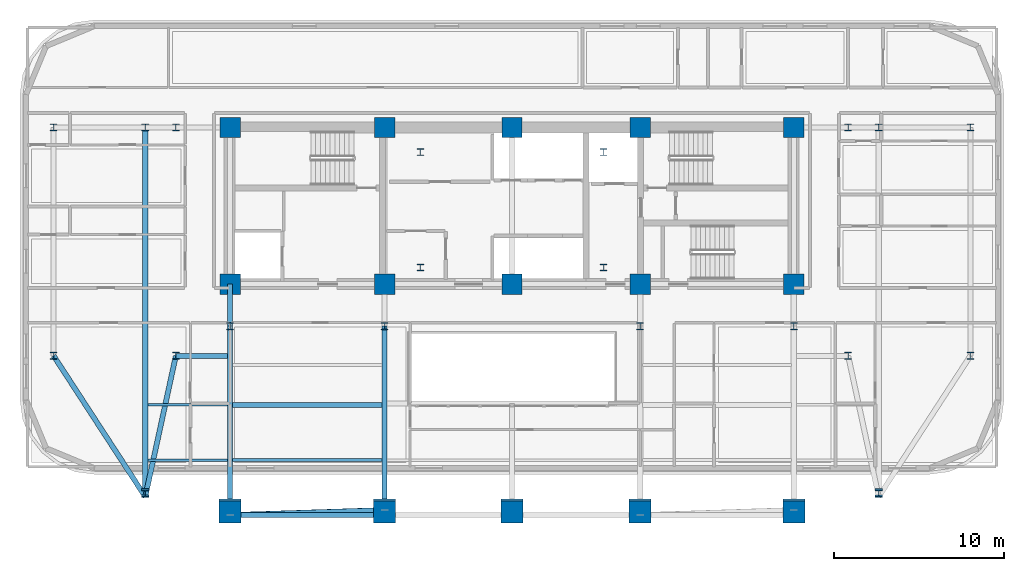
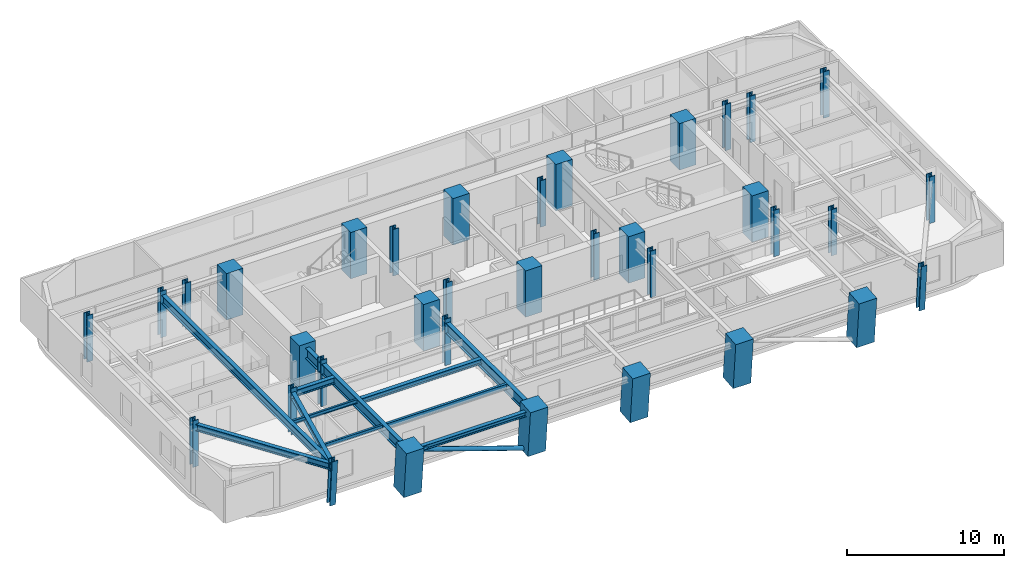
# One storey, part 1 of 14: 35 columns, 12 beams, 1 member.
"""IFC4 building model written with IfcOpenShell, lengths in metres."""

from ifc_helpers import new_model, si_unit, direction, frame, origin, origin_2d, place, context, subcontext, project, spatial, rectangle, hollow_circle, i_section, extrude, material, material_profile, profile_set, type_object, element, save


model = new_model("IFC4")

# Units and contexts
model_context = context("Model", 3, precision=1e-05, world=origin(), true_north=direction((0.0, 1.0)))
body_context = subcontext(model_context, "Body", "Model", "MODEL_VIEW")
ifc_project = project(units=[si_unit("LENGTHUNIT", "METRE"), si_unit("AREAUNIT", "SQUARE_METRE"), si_unit("VOLUMEUNIT", "CUBIC_METRE"), si_unit("PLANEANGLEUNIT", "RADIAN"), si_unit("MASSUNIT", "GRAM", prefix="KILO")], contexts=[model_context])

# Site, building, storey
site_placement = place(None, origin())
site = spatial("IfcSite", under=ifc_project, at=site_placement, CompositionType="ELEMENT")
building_placement = place(site_placement, origin())
building = spatial("IfcBuilding", under=site, at=building_placement, Name="Zarnavel Station Tower", CompositionType="ELEMENT")
storey_placement = place(building_placement, frame((0.0, 0.0, 129.300048828125)))
storey = spatial("IfcBuildingStorey", under=building, at=storey_placement, Name="L35", CompositionType="ELEMENT", Elevation=129.300048828125)

# Columns
ifc_material_1 = material(Name="Steel S460M", Category="steel")
ifc_material_profile_1 = material_profile(ifc_material_1, i_section(OverallWidth=0.41796875, OverallDepth=0.431884765625, WebThickness=0.034912109375, FlangeThickness=0.055908203125, FilletRadius=0.014892578125, at=origin_2d()), Name="HD400x421")
ifc_profile_set_1 = profile_set([ifc_material_profile_1], Name="Steel S460M")
column_type_1 = type_object("IfcColumnType", Name="EC_HD421", PredefinedType="COLUMN", material=ifc_profile_set_1)
for number, where, z_axis, x_axis, name in (
    (1, (1.800048828125, 23.60009765625, 0.0), (0.0, 0.0, 1.0), (1.0, 0.0, 0.0), "L35 Outer Wing South Column 1"),
    (2, (1.800048828125, 37.050048828125, 0.0), (0.0, 0.0, 1.0), (1.0, 0.0, 0.0), "L35 Outer Wing North Column 1"),
):
    element("IfcColumn", number, at=place(storey_placement, frame(where, z_axis=z_axis, x_axis=x_axis)), inside=storey, type_object=column_type_1, Name=name, PredefinedType="COLUMN", context=body_context, shape_type="SweptSolid", body=[
        extrude(i_section(OverallWidth=0.41796875, OverallDepth=0.431884765625, WebThickness=0.034912109375, FlangeThickness=0.055908203125, FilletRadius=0.014892578125, at=origin_2d()), origin(), (0.0, 0.0, 1.0), 3.599853515625),
    ])
for number, where, z_axis, x_axis, name in (
    (3, (7.199951171875, 15.56103515625, 0.0), (0.0, -0.079906436036, 0.996802368316), (1.0, 0.0, 0.0), "L35 Raked Wing Column 2"),
    (4, (50.39990234375, 15.56103515625, 0.0), (0.0, -0.079906436036, 0.996802368316), (1.0, 0.0, 0.0), "L35 Raked Wing Column 3"),
):
    element("IfcColumn", number, at=place(storey_placement, frame(where, z_axis=z_axis, x_axis=x_axis)), inside=storey, type_object=column_type_1, Name=name, PredefinedType="COLUMN", context=body_context, shape_type="SweptSolid", body=[
        extrude(i_section(OverallWidth=0.41796875, OverallDepth=0.431884765625, WebThickness=0.034912109375, FlangeThickness=0.055908203125, FilletRadius=0.014892578125, at=origin_2d()), origin(), (0.0, 0.0, 1.0), 3.611328125),
    ])
for number, where, z_axis, x_axis, name in (
    (5, (55.800048828125, 23.60009765625, 0.0), (0.0, 0.0, 1.0), (1.0, 0.0, 0.0), "L35 Outer Wing South Column 4"),
    (6, (55.800048828125, 37.050048828125, 0.0), (0.0, 0.0, 1.0), (1.0, 0.0, 0.0), "L35 Outer Wing North Column 4"),
):
    element("IfcColumn", number, at=place(storey_placement, frame(where, z_axis=z_axis, x_axis=x_axis)), inside=storey, type_object=column_type_1, Name=name, PredefinedType="COLUMN", context=body_context, shape_type="SweptSolid", body=[
        extrude(i_section(OverallWidth=0.41796875, OverallDepth=0.431884765625, WebThickness=0.034912109375, FlangeThickness=0.055908203125, FilletRadius=0.014892578125, at=origin_2d()), origin(), (0.0, 0.0, 1.0), 3.599853515625),
    ])
ifc_material_2 = material(Name="Steel S460M", Category="steel")
ifc_material_profile_2 = material_profile(ifc_material_2, i_section(OverallWidth=0.41796875, OverallDepth=0.431884765625, WebThickness=0.034912109375, FlangeThickness=0.055908203125, FilletRadius=0.014892578125, at=origin_2d()), Name="HD400x421")
ifc_profile_set_2 = profile_set([ifc_material_profile_2], Name="Steel S460M")
column_type_2 = type_object("IfcColumnType", Name="IC_HD421", PredefinedType="COLUMN", material=ifc_profile_set_2)
for number, where, z_axis, x_axis, name in (
    (7, (23.39990234375, 28.800048828125, 0.0), (0.0, 0.0, 1.0), (1.0, 0.0, 0.0), "L35 Mast Spine Column 1"),
    (8, (34.199951171875, 28.800048828125, 0.0), (0.0, 0.0, 1.0), (1.0, 0.0, 0.0), "L35 Mast Spine Column 2"),
    (9, (34.199951171875, 35.60009765625, 0.0), (0.0, 0.0, 1.0), (1.0, 0.0, 0.0), "L35 Mast Spine Column 3"),
    (10, (23.39990234375, 35.60009765625, 0.0), (0.0, 0.0, 1.0), (1.0, 0.0, 0.0), "L35 Mast Spine Column 4"),
    (11, (12.199951171875, 25.35009765625, 0.0), (0.0, 0.0, 1.0), (1.0, 0.0, 0.0), "L35 Inner Spine Column 1"),
    (12, (21.300048828125, 25.35009765625, 0.0), (0.0, 0.0, 1.0), (1.0, 0.0, 0.0), "L35 Inner Spine Column 2"),
    (13, (36.35009765625, 25.35009765625, 0.0), (0.0, 0.0, 1.0), (1.0, 0.0, 0.0), "L35 Inner Spine Column 4"),
    (14, (45.39990234375, 25.35009765625, 0.0), (0.0, 0.0, 1.0), (1.0, 0.0, 0.0), "L35 Inner Spine Column 5"),
    (15, (9.0, 23.60009765625, 0.0), (0.0, 0.0, 1.0), (1.0, 0.0, 0.0), "L35 Inner Wing Spine Column 1-1"),
    (16, (9.0, 37.050048828125, 0.0), (0.0, 0.0, 1.0), (1.0, 0.0, 0.0), "L35 Inner Wing Spine Column 1-2"),
    (17, (48.60009765625, 23.60009765625, 0.0), (0.0, 0.0, 1.0), (1.0, 0.0, 0.0), "L35 Inner Wing Spine Column 2-1"),
    (18, (48.60009765625, 37.050048828125, 0.0), (0.0, 0.0, 1.0), (1.0, 0.0, 0.0), "L35 Inner Wing Spine Column 2-2"),
    (19, (7.199951171875, 37.050048828125, 0.0), (0.0, 0.0, 1.0), (1.0, 0.0, 0.0), "L35 Outer Wing North Column 2"),
    (20, (50.39990234375, 37.050048828125, 0.0), (0.0, 0.0, 1.0), (1.0, 0.0, 0.0), "L35 Outer Wing North Column 3"),
):
    element("IfcColumn", number, at=place(storey_placement, frame(where, z_axis=z_axis, x_axis=x_axis)), inside=storey, type_object=column_type_2, Name=name, PredefinedType="COLUMN", context=body_context, shape_type="SweptSolid", body=[
        extrude(i_section(OverallWidth=0.41796875, OverallDepth=0.431884765625, WebThickness=0.034912109375, FlangeThickness=0.055908203125, FilletRadius=0.014892578125, at=origin_2d()), origin(), (0.0, 0.0, 1.0), 3.599853515625),
    ])
ifc_material_3 = material(Name="Concrete C50/60", Category="concrete")
ifc_material_profile_3 = material_profile(ifc_material_3, rectangle(XDim=1.199951171875, YDim=1.199951171875, at=origin_2d()), Name="RC1200x1200")
ifc_profile_set_3 = profile_set([ifc_material_profile_3], Name="Concrete C50/60")
column_type_3 = type_object("IfcColumnType", Name="IC_RC1200", PredefinedType="COLUMN", material=ifc_profile_set_3)
for number, where, z_axis, x_axis, name in (
    (21, (12.199951171875, 27.820068359375, 0.0), (0.0, 0.0, 1.0), (1.0, 0.0, 0.0), "L35 Core Spine Column 1-1"),
    (22, (12.199951171875, 37.050048828125, 0.0), (0.0, 0.0, 1.0), (1.0, 0.0, 0.0), "L35 Core Spine Column 1-2"),
    (23, (21.300048828125, 27.820068359375, 0.0), (0.0, 0.0, 1.0), (1.0, 0.0, 0.0), "L35 Core Spine Column 2-1"),
    (24, (21.300048828125, 37.050048828125, 0.0), (0.0, 0.0, 1.0), (1.0, 0.0, 0.0), "L35 Core Spine Column 2-2"),
    (25, (28.800048828125, 27.820068359375, 0.0), (0.0, 0.0, 1.0), (1.0, 0.0, 0.0), "L35 Core Spine Column 3-1"),
    (26, (28.800048828125, 37.050048828125, 0.0), (0.0, 0.0, 1.0), (1.0, 0.0, 0.0), "L35 Core Spine Column 3-2"),
    (27, (36.35009765625, 27.820068359375, 0.0), (0.0, 0.0, 1.0), (1.0, 0.0, 0.0), "L35 Core Spine Column 4-1"),
    (28, (36.35009765625, 37.050048828125, 0.0), (0.0, 0.0, 1.0), (1.0, 0.0, 0.0), "L35 Core Spine Column 4-2"),
    (29, (45.39990234375, 27.820068359375, 0.0), (0.0, 0.0, 1.0), (1.0, 0.0, 0.0), "L35 Core Spine Column 5-1"),
    (30, (45.39990234375, 37.050048828125, 0.0), (0.0, 0.0, 1.0), (1.0, 0.0, 0.0), "L35 Core Spine Column 5-2"),
):
    element("IfcColumn", number, at=place(storey_placement, frame(where, z_axis=z_axis, x_axis=x_axis)), inside=storey, type_object=column_type_3, Name=name, PredefinedType="COLUMN", context=body_context, shape_type="SweptSolid", body=[
        extrude(rectangle(XDim=1.199951171875, YDim=1.199951171875, at=origin_2d()), origin(), (0.0, 0.0, 1.0), 3.599853515625),
    ])
ifc_material_4 = material(Name="Concrete C60/75", Category="concrete")
ifc_material_profile_4 = material_profile(ifc_material_4, rectangle(XDim=1.300048828125, YDim=1.300048828125, at=origin_2d()), Name="RC1300x1300")
ifc_profile_set_4 = profile_set([ifc_material_profile_4], Name="Concrete C60/75")
column_type_4 = type_object("IfcColumnType", Name="MC_RC1300", PredefinedType="COLUMN", material=ifc_profile_set_4)
for number, where, z_axis, x_axis, name in (
    (31, (12.199951171875, 14.5107421875, 0.0), (0.0, -0.090237335163, 0.995920289653), (1.0, 0.0, 0.0), "L35 Raked South Mega-Column 1"),
    (32, (21.300048828125, 14.5107421875, 0.0), (0.0, -0.090237335163, 0.995920289653), (1.0, 0.0, 0.0), "L35 Raked South Mega-Column 2"),
    (33, (28.800048828125, 14.5107421875, 0.0), (0.0, -0.090237335163, 0.995920289653), (1.0, 0.0, 0.0), "L35 Raked South Mega-Column 3"),
    (34, (36.35009765625, 14.5107421875, 0.0), (0.0, -0.090237335163, 0.995920289653), (1.0, 0.0, 0.0), "L35 Raked South Mega-Column 4"),
    (35, (45.39990234375, 14.5107421875, 0.0), (0.0, -0.090237335163, 0.995920289653), (1.0, 0.0, 0.0), "L35 Raked South Mega-Column 5"),
):
    element("IfcColumn", number, at=place(storey_placement, frame(where, z_axis=z_axis, x_axis=x_axis)), inside=storey, type_object=column_type_4, Name=name, PredefinedType="COLUMN", context=body_context, shape_type="SweptSolid", body=[
        extrude(rectangle(XDim=1.300048828125, YDim=1.300048828125, at=origin_2d()), origin(), (0.0, 0.0, 1.0), 3.614501953125),
    ])

# Member
ifc_material_5 = material(Name="Steel S355J2", Category="steel")
ifc_material_profile_5 = material_profile(ifc_material_5, hollow_circle(Radius=0.161865234375, WallThickness=0.012451171875, at=origin_2d()), Name="CHS323.9x12.5")
ifc_profile_set_5 = profile_set([ifc_material_profile_5], Name="Steel S355J2")
member_type = type_object("IfcMemberType", Name="DB_EXT_CHS324", PredefinedType="BRACE", material=ifc_profile_set_5)
member_placement = place(storey_placement, frame((21.300048828125, 14.5107421875, 0.0), z_axis=(-0.940312279754, -0.030701294319, 0.338925134906), x_axis=(0.032632715548, -0.999467411113, 0.0)))
element("IfcMember", 36, at=member_placement, inside=storey, type_object=member_type, Name="L35 Persian Exterior Diagonal Frame Brace 1", PredefinedType="BRACE", context=body_context, shape_type="SweptSolid", body=[
    extrude(hollow_circle(Radius=0.161865234375, WallThickness=0.012451171875, at=origin_2d()), origin(), (0.0, 0.0, 1.0), 9.677734375),
])

# Beams
ifc_material_6 = material(Name="Steel S355J2", Category="steel")
ifc_material_profile_6 = material_profile(ifc_material_6, i_section(OverallWidth=0.300048828125, OverallDepth=0.360107421875, WebThickness=0.012451171875, FlangeThickness=0.0224609375, FilletRadius=0.027099609375, at=origin_2d()), Name="HEB360")
ifc_profile_set_6 = profile_set([ifc_material_profile_6], Name="Steel S355J2")
beam_type_1 = type_object("IfcBeamType", Name="EB_HEB360", PredefinedType="SPANDREL", material=ifc_profile_set_6)
beam_1_placement = place(storey_placement, frame((12.199951171875, 14.213623046875, 3.099853515625), z_axis=(1.0, 0.0, 0.0), x_axis=(0.0, 1.0, 0.0)))
element("IfcBeam", 37, at=beam_1_placement, inside=storey, type_object=beam_type_1, Name="L35 South Raked Spandrel 1", PredefinedType="SPANDREL", context=body_context, shape_type="SweptSolid", body=[
    extrude(i_section(OverallWidth=0.300048828125, OverallDepth=0.360107421875, WebThickness=0.012451171875, FlangeThickness=0.0224609375, FilletRadius=0.027099609375, at=origin_2d()), origin(), (0.0, 0.0, 1.0), 9.10009765625),
])
ifc_material_7 = material(Name="Steel S355J2", Category="steel")
ifc_material_profile_7 = material_profile(ifc_material_7, i_section(OverallWidth=0.300048828125, OverallDepth=0.389892578125, WebThickness=0.010986328125, FlangeThickness=0.01904296875, FilletRadius=0.027099609375, at=origin_2d()), Name="HEA400")
ifc_profile_set_7 = profile_set([ifc_material_profile_7], Name="Steel S355J2")
beam_type_2 = type_object("IfcBeamType", Name="FB_HEA400", PredefinedType="BEAM", material=ifc_profile_set_7)
beam_2_placement = place(storey_placement, frame((12.344970703125, 20.706787109375, 3.0849609375), z_axis=(1.0, 0.0, 0.0), x_axis=(0.0, 1.0, 0.0)))
element("IfcBeam", 38, at=beam_2_placement, inside=storey, type_object=beam_type_2, Name="L35 West Bay Beam 2", PredefinedType="BEAM", context=body_context, shape_type="SweptSolid", body=[
    extrude(i_section(OverallWidth=0.300048828125, OverallDepth=0.389892578125, WebThickness=0.010986328125, FlangeThickness=0.01904296875, FilletRadius=0.027099609375, at=origin_2d()), origin(), (0.0, 0.0, 1.0), 8.81005859375),
])
ifc_material_8 = material(Name="Steel S355J2", Category="steel")
ifc_material_profile_8 = material_profile(ifc_material_8, i_section(OverallWidth=0.179931640625, OverallDepth=0.39990234375, WebThickness=0.008544921875, FlangeThickness=0.013427734375, FilletRadius=0.02099609375, at=origin_2d()), Name="IPE400")
ifc_profile_set_8 = profile_set([ifc_material_profile_8], Name="Steel S355J2")
beam_type_3 = type_object("IfcBeamType", Name="FB_IPE400", PredefinedType="BEAM", material=ifc_profile_set_8)
beam_3_placement = place(storey_placement, frame((12.344970703125, 17.460205078125, 3.079833984375), z_axis=(1.0, 0.0, 0.0), x_axis=(0.0, 1.0, 0.0)))
element("IfcBeam", 39, at=beam_3_placement, inside=storey, type_object=beam_type_3, Name="L35 West Bay Beam 1", PredefinedType="BEAM", context=body_context, shape_type="SweptSolid", body=[
    extrude(i_section(OverallWidth=0.179931640625, OverallDepth=0.39990234375, WebThickness=0.008544921875, FlangeThickness=0.013427734375, FilletRadius=0.02099609375, at=origin_2d()), origin(), (0.0, 0.0, 1.0), 8.81005859375),
])
ifc_material_9 = material(Name="Steel S355J2", Category="steel")
ifc_material_profile_9 = material_profile(ifc_material_9, i_section(OverallWidth=0.300048828125, OverallDepth=0.5, WebThickness=0.014404296875, FlangeThickness=0.028076171875, FilletRadius=0.027099609375, at=origin_2d()), Name="HEB500")
ifc_profile_set_9 = profile_set([ifc_material_profile_9], Name="Steel S355J2")
beam_type_4 = type_object("IfcBeamType", Name="FG_HEB500", PredefinedType="USERDEFINED", material=ifc_profile_set_9)
beam_4_placement = place(storey_placement, frame((1.800048828125, 23.60009765625, 3.030029296875), z_axis=(0.545243939329, -0.838277428197, 0.0), x_axis=(0.838277428197, 0.545243939329, 0.0)))
element("IfcBeam", 40, at=beam_4_placement, inside=storey, type_object=beam_type_4, Name="L35 West Wing South Tie 1", ObjectType="GIRDER", PredefinedType="USERDEFINED", context=body_context, shape_type="SweptSolid", body=[
    extrude(i_section(OverallWidth=0.300048828125, OverallDepth=0.5, WebThickness=0.014404296875, FlangeThickness=0.028076171875, FilletRadius=0.027099609375, at=origin_2d()), origin(), (0.0, 0.0, 1.0), 9.903564453125),
])
beam_5_placement = place(storey_placement, frame((7.199951171875, 15.298095703125, 3.030029296875), z_axis=(0.211897462359, 0.977291903909, 0.0), x_axis=(-0.977291903909, 0.211897462359, 0.0)))
element("IfcBeam", 41, at=beam_5_placement, inside=storey, type_object=beam_type_4, Name="L35 West Wing South Tie 2", ObjectType="GIRDER", PredefinedType="USERDEFINED", context=body_context, shape_type="SweptSolid", body=[
    extrude(i_section(OverallWidth=0.300048828125, OverallDepth=0.5, WebThickness=0.014404296875, FlangeThickness=0.028076171875, FilletRadius=0.027099609375, at=origin_2d()), origin(), (0.0, 0.0, 1.0), 8.494873046875),
])
beam_6_placement = place(storey_placement, frame((9.0, 23.60009765625, 3.030029296875), z_axis=(1.0, 0.0, 0.0), x_axis=(0.0, 1.0, 0.0)))
element("IfcBeam", 42, at=beam_6_placement, inside=storey, type_object=beam_type_4, Name="L35 West Wing South Tie 3", ObjectType="GIRDER", PredefinedType="USERDEFINED", context=body_context, shape_type="SweptSolid", body=[
    extrude(i_section(OverallWidth=0.300048828125, OverallDepth=0.5, WebThickness=0.014404296875, FlangeThickness=0.028076171875, FilletRadius=0.027099609375, at=origin_2d()), origin(), (0.0, 0.0, 1.0), 3.054931640625),
])
ifc_material_10 = material(Name="Steel S355J2", Category="steel")
ifc_material_profile_10 = material_profile(ifc_material_10, i_section(OverallWidth=0.300048828125, OverallDepth=0.64990234375, WebThickness=0.01611328125, FlangeThickness=0.031005859375, FilletRadius=0.027099609375, at=origin_2d()), Name="HEB650")
ifc_profile_set_10 = profile_set([ifc_material_profile_10], Name="Steel S355J2")
beam_type_5 = type_object("IfcBeamType", Name="FG_HEB650", PredefinedType="USERDEFINED", material=ifc_profile_set_10)
beam_7_placement = place(storey_placement, frame((7.199951171875, 15.298095703125, 2.954833984375), z_axis=(0.0, 1.0, 0.0), x_axis=(-1.0, 0.0, 0.0)))
element("IfcBeam", 43, at=beam_7_placement, inside=storey, type_object=beam_type_5, Name="L35 Wing NS Girder 2", ObjectType="GIRDER", PredefinedType="USERDEFINED", context=body_context, shape_type="SweptSolid", body=[
    extrude(i_section(OverallWidth=0.300048828125, OverallDepth=0.64990234375, WebThickness=0.01611328125, FlangeThickness=0.031005859375, FilletRadius=0.027099609375, at=origin_2d()), origin(), (0.0, 0.0, 1.0), 21.751953125),
])
ifc_material_11 = material(Name="Steel S460M", Category="steel")
ifc_material_profile_11 = material_profile(ifc_material_11, i_section(OverallWidth=0.302978515625, OverallDepth=0.81396484375, WebThickness=0.02099609375, FlangeThickness=0.0400390625, FilletRadius=0.030029296875, at=origin_2d()), Name="HEM800")
ifc_profile_set_11 = profile_set([ifc_material_profile_11], Name="Steel S460M")
beam_type_6 = type_object("IfcBeamType", Name="FG_HEM800", PredefinedType="USERDEFINED", material=ifc_profile_set_11)
beam_8_placement = place(storey_placement, frame((12.199951171875, 14.213623046875, 2.873046875), z_axis=(0.0, 1.0, 0.0), x_axis=(-1.0, 0.0, 0.0)))
element("IfcBeam", 44, at=beam_8_placement, inside=storey, type_object=beam_type_6, Name="L35 South-Zone NS Girder 1", ObjectType="GIRDER", PredefinedType="USERDEFINED", context=body_context, shape_type="SweptSolid", body=[
    extrude(i_section(OverallWidth=0.302978515625, OverallDepth=0.81396484375, WebThickness=0.02099609375, FlangeThickness=0.0400390625, FilletRadius=0.030029296875, at=origin_2d()), origin(), (0.0, 0.0, 1.0), 11.136474609375),
])
beam_9_placement = place(storey_placement, frame((12.199951171875, 25.35009765625, 2.873046875), z_axis=(0.0, 1.0, 0.0), x_axis=(-1.0, 0.0, 0.0)))
element("IfcBeam", 45, at=beam_9_placement, inside=storey, type_object=beam_type_6, Name="L35 Inner-Zone NS Girder 1", ObjectType="GIRDER", PredefinedType="USERDEFINED", context=body_context, shape_type="SweptSolid", body=[
    extrude(i_section(OverallWidth=0.302978515625, OverallDepth=0.81396484375, WebThickness=0.02099609375, FlangeThickness=0.0400390625, FilletRadius=0.030029296875, at=origin_2d()), origin(), (0.0, 0.0, 1.0), 2.469970703125),
])
beam_10_placement = place(storey_placement, frame((21.300048828125, 14.213623046875, 2.873046875), z_axis=(0.0, 1.0, 0.0), x_axis=(-1.0, 0.0, 0.0)))
element("IfcBeam", 46, at=beam_10_placement, inside=storey, type_object=beam_type_6, Name="L35 South-Zone NS Girder 2", ObjectType="GIRDER", PredefinedType="USERDEFINED", context=body_context, shape_type="SweptSolid", body=[
    extrude(i_section(OverallWidth=0.302978515625, OverallDepth=0.81396484375, WebThickness=0.02099609375, FlangeThickness=0.0400390625, FilletRadius=0.030029296875, at=origin_2d()), origin(), (0.0, 0.0, 1.0), 11.136474609375),
])
ifc_material_12 = material(Name="Steel S355J2", Category="steel")
ifc_material_profile_12 = material_profile(ifc_material_12, i_section(OverallWidth=0.14990234375, OverallDepth=0.300048828125, WebThickness=0.007080078125, FlangeThickness=0.0107421875, FilletRadius=0.014892578125, at=origin_2d()), Name="IPE300")
ifc_profile_set_12 = profile_set([ifc_material_profile_12], Name="Steel S355J2")
beam_type_7 = type_object("IfcBeamType", Name="FJ_IPE300", PredefinedType="JOIST", material=ifc_profile_set_12)
for number, where, z_axis, x_axis, name in (
    (47, (7.344970703125, 17.460205078125, 3.1298828125), (1.0, 0.0, 0.0), (0.0, 1.0, 0.0), "L35 West Wing Joist 1"),
    (48, (7.344970703125, 20.706787109375, 3.1298828125), (1.0, 0.0, 0.0), (0.0, 1.0, 0.0), "L35 West Wing Joist 2"),
):
    element("IfcBeam", number, at=place(storey_placement, frame(where, z_axis=z_axis, x_axis=x_axis)), inside=storey, type_object=beam_type_7, Name=name, PredefinedType="JOIST", context=body_context, shape_type="SweptSolid", body=[
        extrude(i_section(OverallWidth=0.14990234375, OverallDepth=0.300048828125, WebThickness=0.007080078125, FlangeThickness=0.0107421875, FilletRadius=0.014892578125, at=origin_2d()), origin(), (0.0, 0.0, 1.0), 4.7099609375),
    ])

save(model, "model.ifc")
